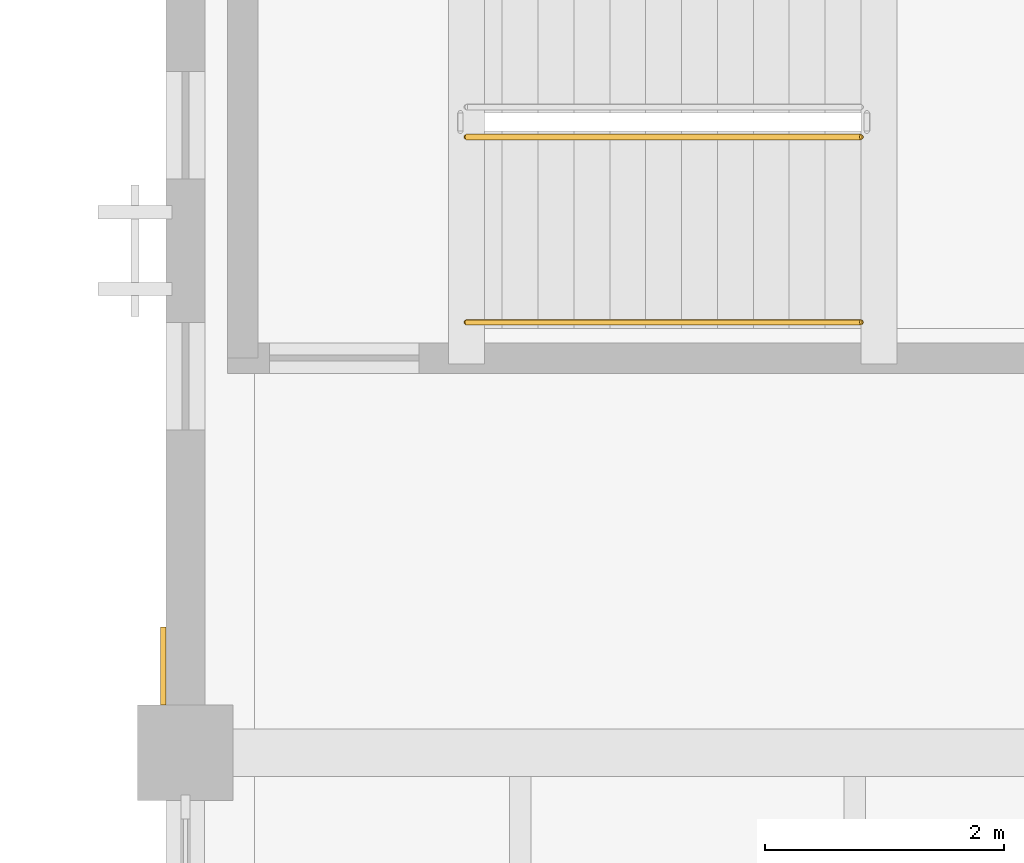
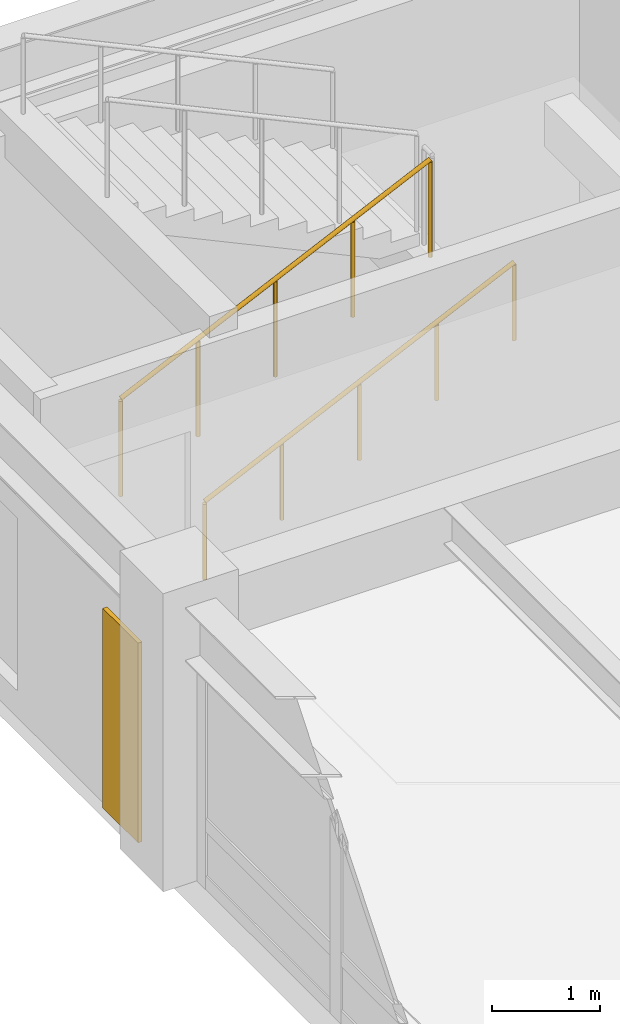
# One storey, part 106 of 123: 2 railings, 1 covering.
"""IFC4 building model written with IfcOpenShell, lengths in metres."""

from ifc_helpers import new_model, si_unit, direction, frame, origin, origin_2d, place, context, subcontext, project, spatial, polyline, circle, outline, extrude, material, layer, layer_set, type_object, element, save


model = new_model("IFC4")

# Units and contexts
model_context = context("Model", 3, precision=1e-05, world=origin(), true_north=direction((0.0, 1.0)))
body_context = subcontext(model_context, "Body", "Model", "MODEL_VIEW")
ifc_project = project(units=[si_unit("LENGTHUNIT", "METRE"), si_unit("AREAUNIT", "SQUARE_METRE"), si_unit("VOLUMEUNIT", "CUBIC_METRE"), si_unit("PLANEANGLEUNIT", "RADIAN"), si_unit("MASSUNIT", "GRAM", prefix="KILO")], contexts=[model_context])

# Site, building, storey
site_placement = place(None, origin())
site = spatial("IfcSite", under=ifc_project, at=site_placement, CompositionType="ELEMENT")
building_placement = place(site_placement, origin())
building = spatial("IfcBuilding", under=site, at=building_placement, Name="Cumbredor Promenade Congress Hotel", CompositionType="ELEMENT")
storey_placement = place(building_placement, frame((0.0, 0.0, 11.760009765625)))
storey = spatial("IfcBuildingStorey", under=building, at=storey_placement, Name="L03", CompositionType="ELEMENT", Elevation=11.760009765625)

# Covering
ifc_material_1 = material(Name="Precast concrete C40/50", Category="concrete")
ifc_layer = layer(ifc_material_1, 0.044921875, Name="Precast concrete C40/50", Category="concrete")
ifc_layer_set = layer_set([ifc_layer], Name="Precast concrete C40/50")
covering_type = type_object("IfcCoveringType", Name="Board-Formed Architectural Cladding Panel 45mm", PredefinedType="CLADDING", material=ifc_layer_set)
covering_placement = place(storey_placement, origin())
element("IfcCovering", 1, at=covering_placement, inside=storey, type_object=covering_type, Name="L03 Facade Stone Cladding Pier 138", PredefinedType="CLADDING", context=body_context, shape_type="SweptSolid", body=[
    extrude(outline(polyline([(8.237548828125, 59.200927734375), (8.237548828125, 59.85107421875), (8.1923828125, 59.85107421875), (8.1923828125, 59.200927734375), (8.237548828125, 59.200927734375)])), origin(), (0.0, 0.0, 1.0), 2.25),
])

# Railings
ifc_material_2 = material(Name="Brushed stainless steel", Category="steel")
railing_type_1 = type_object("IfcRailingType", Name="Interior Void & Stair Guardrail GR-1100", PredefinedType="GUARDRAIL", material=ifc_material_2)
railing_1_placement = place(storey_placement, frame((10.75, 63.949951171875, 0.139892578125)))
element("IfcRailing", 2, at=railing_1_placement, inside=storey, type_object=railing_type_1, Name="L03 ST-06 stair guard 1", PredefinedType="GUARDRAIL", context=body_context, shape_type="SweptSolid", body=[
    extrude(circle(Radius=0.02392578125, at=origin_2d()), frame((0.0, 0.0, 1.09619140625), z_axis=(0.906181427284, 0.0, 0.422889135408), x_axis=(0.0, 1.0, 0.0)), (0.0, 0.0, 1.0), 3.6416015625),
    extrude(circle(Radius=0.02099609375, at=origin_2d()), origin(), (0.0, 0.0, 1.0), 1.072021484375),
    extrude(circle(Radius=0.02099609375, at=origin_2d()), frame((0.824951171875, 0.0, 0.385009765625)), (0.0, 0.0, 1.0), 1.072021484375),
    extrude(circle(Radius=0.02099609375, at=origin_2d()), frame((1.64990234375, 0.0, 0.77001953125)), (0.0, 0.0, 1.0), 1.072021484375),
    extrude(circle(Radius=0.02099609375, at=origin_2d()), frame((2.47509765625, 0.0, 1.155029296875)), (0.0, 0.0, 1.0), 1.072021484375),
    extrude(circle(Radius=0.02099609375, at=origin_2d()), frame((3.300048828125, 0.0, 1.5400390625)), (0.0, 0.0, 1.0), 1.072021484375),
])
railing_type_2 = type_object("IfcRailingType", Name="Stair Pitch Handrail HR-900", PredefinedType="HANDRAIL", material=ifc_material_2)
railing_2_placement = place(storey_placement, frame((10.75, 62.39990234375, 0.139892578125)))
element("IfcRailing", 3, at=railing_2_placement, inside=storey, type_object=railing_type_2, Name="L03 ST-06 stair handrail 1", PredefinedType="HANDRAIL", context=body_context, shape_type="SweptSolid", body=[
    extrude(circle(Radius=0.02392578125, at=origin_2d()), frame((0.0, 0.0, 0.8759765625), z_axis=(0.906181427284, 0.0, 0.422889135408), x_axis=(0.0, 1.0, 0.0)), (0.0, 0.0, 1.0), 3.6416015625),
    extrude(circle(Radius=0.02099609375, at=origin_2d()), origin(), (0.0, 0.0, 1.0), 0.851806640625),
    extrude(circle(Radius=0.02099609375, at=origin_2d()), frame((0.824951171875, 0.0, 0.385009765625)), (0.0, 0.0, 1.0), 0.851806640625),
    extrude(circle(Radius=0.02099609375, at=origin_2d()), frame((1.64990234375, 0.0, 0.77001953125)), (0.0, 0.0, 1.0), 0.851806640625),
    extrude(circle(Radius=0.02099609375, at=origin_2d()), frame((2.47509765625, 0.0, 1.155029296875)), (0.0, 0.0, 1.0), 0.851806640625),
    extrude(circle(Radius=0.02099609375, at=origin_2d()), frame((3.300048828125, 0.0, 1.5400390625)), (0.0, 0.0, 1.0), 0.851806640625),
])

save(model, "model.ifc")
